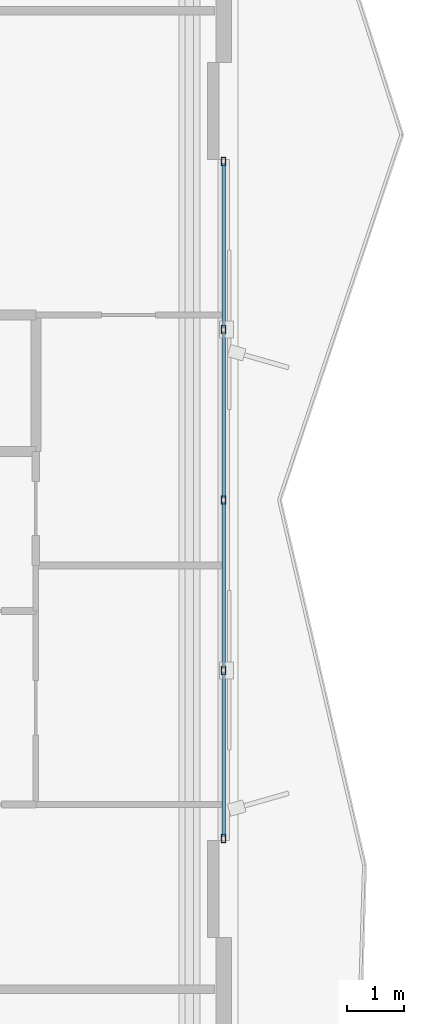
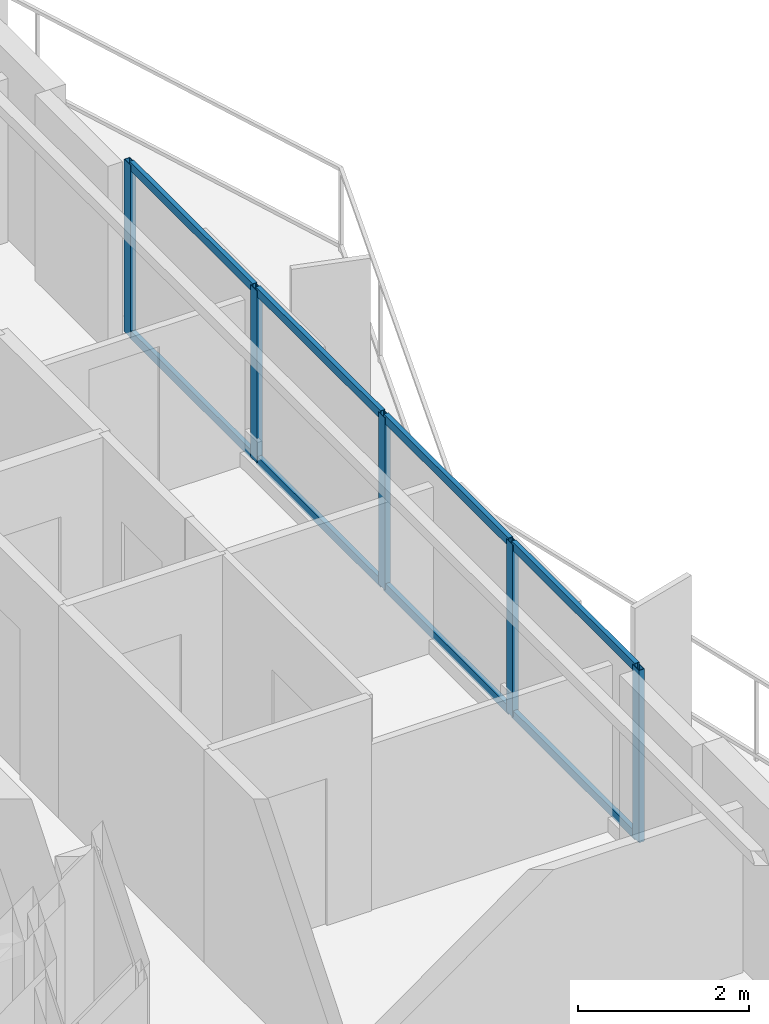
# One storey, part 6 of 18: 13 members, 1 element without a shape of its own.
"""IFC4 building model written with IfcOpenShell, lengths in metres."""

from ifc_helpers import new_model, si_unit, direction, frame, origin, origin_2d, place, context, subcontext, project, spatial, hollow_rectangle, extrude, material, layer, layer_set, material_profile, profile_set, type_object, element, aggregate, save


model = new_model("IFC4")

# Units and contexts
model_context = context("Model", 3, precision=1e-05, world=origin(), true_north=direction((0.0, 1.0)))
body_context = subcontext(model_context, "Body", "Model", "MODEL_VIEW")
ifc_project = project(units=[si_unit("LENGTHUNIT", "METRE"), si_unit("AREAUNIT", "SQUARE_METRE"), si_unit("VOLUMEUNIT", "CUBIC_METRE"), si_unit("PLANEANGLEUNIT", "RADIAN"), si_unit("MASSUNIT", "GRAM", prefix="KILO")], contexts=[model_context])

# Site, building, storey
site_placement = place(None, origin())
site = spatial("IfcSite", under=ifc_project, at=site_placement, CompositionType="ELEMENT")
building_placement = place(site_placement, origin())
building = spatial("IfcBuilding", under=site, at=building_placement, Name="Mersakhor Tower and Convention Hall", CompositionType="ELEMENT")
storey_placement = place(building_placement, frame((0.0, 0.0, 35.699951171875)))
storey = spatial("IfcBuildingStorey", under=building, at=storey_placement, Name="L09", CompositionType="ELEMENT", Elevation=35.699951171875)

# Curtain wall, members
ifc_material_1 = material(Name="Dark solar low-E aluminium curtain wall", Category="aluminium")
ifc_layer = layer(ifc_material_1, 0.159912109375)
ifc_layer_set = layer_set([ifc_layer], Name="Dark solar low-E aluminium curtain wall")
curtain_wall_type = type_object("IfcCurtainWallType", Name="CW-SYS-01", PredefinedType="USERDEFINED", material=ifc_layer_set)
curtain_wall_placement = place(storey_placement, origin())
curtain_wall = element("IfcCurtainWall", 1, at=curtain_wall_placement, inside=storey, type_object=curtain_wall_type, Name="L09 Dark-Glass Curtain Wall F2-B2", ObjectType="CURTAIN WALL", PredefinedType="USERDEFINED")
ifc_material_2 = material(Name="Anodised aluminium EN AW-6063 T6", Category="aluminium")
ifc_material_profile_1 = material_profile(ifc_material_2, hollow_rectangle(XDim=0.074951171875, YDim=0.14990234375, WallThickness=0.00634765625, at=origin_2d()), Name="RHS 150x75x6.3")
ifc_profile_set_1 = profile_set([ifc_material_profile_1], Name="Anodised aluminium EN AW-6063 T6")
member_type_1 = type_object("IfcMemberType", Name="CWM-150x75", PredefinedType="MULLION", material=ifc_profile_set_1)
member_1_placement = place(storey_placement, frame((43.85009765625, 32.69921875, 0.199951171875), z_axis=(0.0, 0.0, 1.0), x_axis=(1.0, 0.0, 0.0)))
member_1 = element("IfcMember", 2, at=member_1_placement, type_object=member_type_1, Name="CW-01 mullion 1", PredefinedType="MULLION", context=body_context, shape_type="SweptSolid", body=[
    extrude(hollow_rectangle(XDim=0.074951171875, YDim=0.14990234375, WallThickness=0.00634765625, at=origin_2d()), origin(), (0.0, 0.0, 1.0), 2.460205078125),
])
member_2_placement = place(storey_placement, frame((43.85009765625, 29.743408203125, 0.199951171875), z_axis=(0.0, 0.0, 1.0), x_axis=(1.0, 0.0, 0.0)))
member_2 = element("IfcMember", 3, at=member_2_placement, type_object=member_type_1, Name="CW-01 mullion 2", PredefinedType="MULLION", context=body_context, shape_type="SweptSolid", body=[
    extrude(hollow_rectangle(XDim=0.074951171875, YDim=0.14990234375, WallThickness=0.00634765625, at=origin_2d()), origin(), (0.0, 0.0, 1.0), 2.460205078125),
])
member_3_placement = place(storey_placement, frame((43.85009765625, 26.75, 0.199951171875), z_axis=(0.0, 0.0, 1.0), x_axis=(1.0, 0.0, 0.0)))
member_3 = element("IfcMember", 4, at=member_3_placement, type_object=member_type_1, Name="CW-01 mullion 3", PredefinedType="MULLION", context=body_context, shape_type="SweptSolid", body=[
    extrude(hollow_rectangle(XDim=0.074951171875, YDim=0.14990234375, WallThickness=0.00634765625, at=origin_2d()), origin(), (0.0, 0.0, 1.0), 2.460205078125),
])
member_4_placement = place(storey_placement, frame((43.85009765625, 23.756591796875, 0.199951171875), z_axis=(0.0, 0.0, 1.0), x_axis=(1.0, 0.0, 0.0)))
member_4 = element("IfcMember", 5, at=member_4_placement, type_object=member_type_1, Name="CW-01 mullion 4", PredefinedType="MULLION", context=body_context, shape_type="SweptSolid", body=[
    extrude(hollow_rectangle(XDim=0.074951171875, YDim=0.14990234375, WallThickness=0.00634765625, at=origin_2d()), origin(), (0.0, 0.0, 1.0), 2.460205078125),
])
member_5_placement = place(storey_placement, frame((43.85009765625, 20.80078125, 0.199951171875), z_axis=(0.0, 0.0, 1.0), x_axis=(1.0, 0.0, 0.0)))
member_5 = element("IfcMember", 6, at=member_5_placement, type_object=member_type_1, Name="CW-01 mullion 5", PredefinedType="MULLION", context=body_context, shape_type="SweptSolid", body=[
    extrude(hollow_rectangle(XDim=0.074951171875, YDim=0.14990234375, WallThickness=0.00634765625, at=origin_2d()), origin(), (0.0, 0.0, 1.0), 2.460205078125),
])
ifc_material_3 = material(Name="Anodised aluminium EN AW-6063 T6", Category="aluminium")
ifc_material_profile_2 = material_profile(ifc_material_3, hollow_rectangle(XDim=0.06005859375, YDim=0.1201171875, WallThickness=0.0048828125, at=origin_2d()), Name="RHS 120x60x5")
ifc_profile_set_2 = profile_set([ifc_material_profile_2], Name="Anodised aluminium EN AW-6063 T6")
member_type_2 = type_object("IfcMemberType", Name="CWT-120x60", PredefinedType="USERDEFINED", material=ifc_profile_set_2)
member_6_placement = place(storey_placement, frame((43.85009765625, 32.66162109375, 0.22998046875), z_axis=(0.0, -1.0, 0.0), x_axis=(1.0, 0.0, 0.0)))
member_6 = element("IfcMember", 7, at=member_6_placement, type_object=member_type_2, Name="CW-01 transom 1.1", ObjectType="TRANSOM", PredefinedType="USERDEFINED", context=body_context, shape_type="SweptSolid", body=[
    extrude(hollow_rectangle(XDim=0.06005859375, YDim=0.1201171875, WallThickness=0.0048828125, at=origin_2d()), origin(), (0.0, 0.0, 1.0), 2.880859375),
])
member_7_placement = place(storey_placement, frame((43.85009765625, 32.66162109375, 2.630126953125), z_axis=(0.0, -1.0, 0.0), x_axis=(1.0, 0.0, 0.0)))
member_7 = element("IfcMember", 8, at=member_7_placement, type_object=member_type_2, Name="CW-01 transom 1.2", ObjectType="TRANSOM", PredefinedType="USERDEFINED", context=body_context, shape_type="SweptSolid", body=[
    extrude(hollow_rectangle(XDim=0.06005859375, YDim=0.1201171875, WallThickness=0.0048828125, at=origin_2d()), origin(), (0.0, 0.0, 1.0), 2.880859375),
])
member_8_placement = place(storey_placement, frame((43.85009765625, 29.705810546875, 0.22998046875), z_axis=(0.0, -1.0, 0.0), x_axis=(1.0, 0.0, 0.0)))
member_8 = element("IfcMember", 9, at=member_8_placement, type_object=member_type_2, Name="CW-01 transom 2.1", ObjectType="TRANSOM", PredefinedType="USERDEFINED", context=body_context, shape_type="SweptSolid", body=[
    extrude(hollow_rectangle(XDim=0.06005859375, YDim=0.1201171875, WallThickness=0.0048828125, at=origin_2d()), origin(), (0.0, 0.0, 1.0), 2.918212890625),
])
member_9_placement = place(storey_placement, frame((43.85009765625, 29.705810546875, 2.630126953125), z_axis=(0.0, -1.0, 0.0), x_axis=(1.0, 0.0, 0.0)))
member_9 = element("IfcMember", 10, at=member_9_placement, type_object=member_type_2, Name="CW-01 transom 2.2", ObjectType="TRANSOM", PredefinedType="USERDEFINED", context=body_context, shape_type="SweptSolid", body=[
    extrude(hollow_rectangle(XDim=0.06005859375, YDim=0.1201171875, WallThickness=0.0048828125, at=origin_2d()), origin(), (0.0, 0.0, 1.0), 2.918212890625),
])
member_10_placement = place(storey_placement, frame((43.85009765625, 26.71240234375, 0.22998046875), z_axis=(0.0, -1.0, 0.0), x_axis=(1.0, 0.0, 0.0)))
member_10 = element("IfcMember", 11, at=member_10_placement, type_object=member_type_2, Name="CW-01 transom 3.1", ObjectType="TRANSOM", PredefinedType="USERDEFINED", context=body_context, shape_type="SweptSolid", body=[
    extrude(hollow_rectangle(XDim=0.06005859375, YDim=0.1201171875, WallThickness=0.0048828125, at=origin_2d()), origin(), (0.0, 0.0, 1.0), 2.918212890625),
])
member_11_placement = place(storey_placement, frame((43.85009765625, 26.71240234375, 2.630126953125), z_axis=(0.0, -1.0, 0.0), x_axis=(1.0, 0.0, 0.0)))
member_11 = element("IfcMember", 12, at=member_11_placement, type_object=member_type_2, Name="CW-01 transom 3.2", ObjectType="TRANSOM", PredefinedType="USERDEFINED", context=body_context, shape_type="SweptSolid", body=[
    extrude(hollow_rectangle(XDim=0.06005859375, YDim=0.1201171875, WallThickness=0.0048828125, at=origin_2d()), origin(), (0.0, 0.0, 1.0), 2.918212890625),
])
member_12_placement = place(storey_placement, frame((43.85009765625, 23.71923828125, 0.22998046875), z_axis=(0.0, -1.0, 0.0), x_axis=(1.0, 0.0, 0.0)))
member_12 = element("IfcMember", 13, at=member_12_placement, type_object=member_type_2, Name="CW-01 transom 4.1", ObjectType="TRANSOM", PredefinedType="USERDEFINED", context=body_context, shape_type="SweptSolid", body=[
    extrude(hollow_rectangle(XDim=0.06005859375, YDim=0.1201171875, WallThickness=0.0048828125, at=origin_2d()), origin(), (0.0, 0.0, 1.0), 2.880859375),
])
member_13_placement = place(storey_placement, frame((43.85009765625, 23.71923828125, 2.630126953125), z_axis=(0.0, -1.0, 0.0), x_axis=(1.0, 0.0, 0.0)))
member_13 = element("IfcMember", 14, at=member_13_placement, type_object=member_type_2, Name="CW-01 transom 4.2", ObjectType="TRANSOM", PredefinedType="USERDEFINED", context=body_context, shape_type="SweptSolid", body=[
    extrude(hollow_rectangle(XDim=0.06005859375, YDim=0.1201171875, WallThickness=0.0048828125, at=origin_2d()), origin(), (0.0, 0.0, 1.0), 2.880859375),
])
aggregate(curtain_wall, [member_1, member_2, member_3, member_4, member_5, member_6, member_7, member_8, member_9, member_10, member_11, member_12, member_13])

save(model, "model.ifc")
